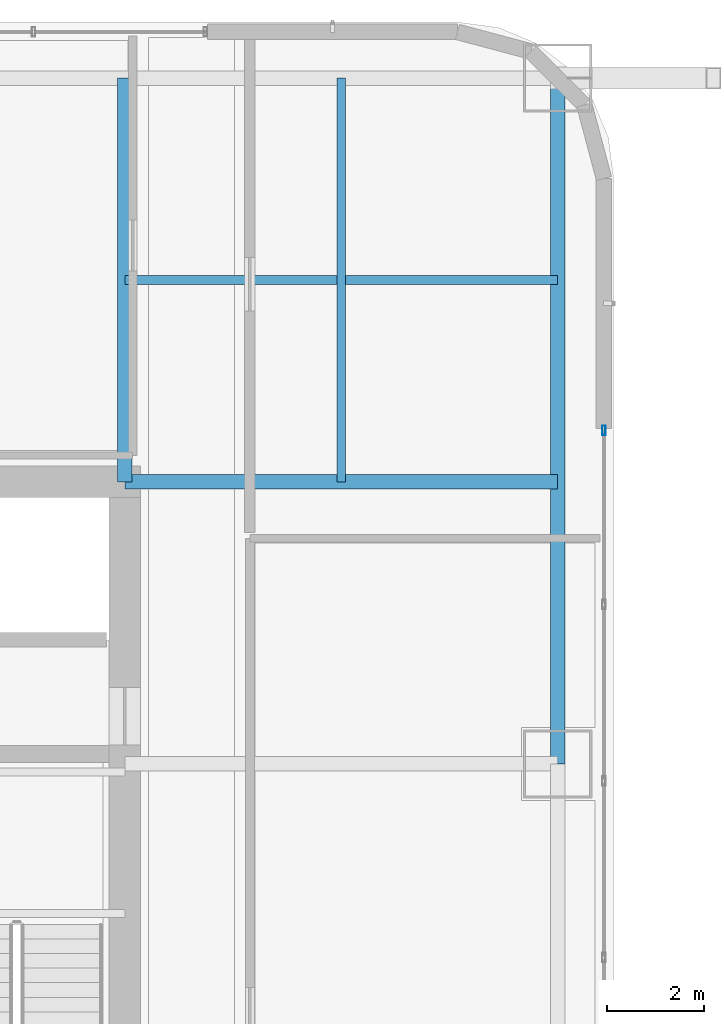
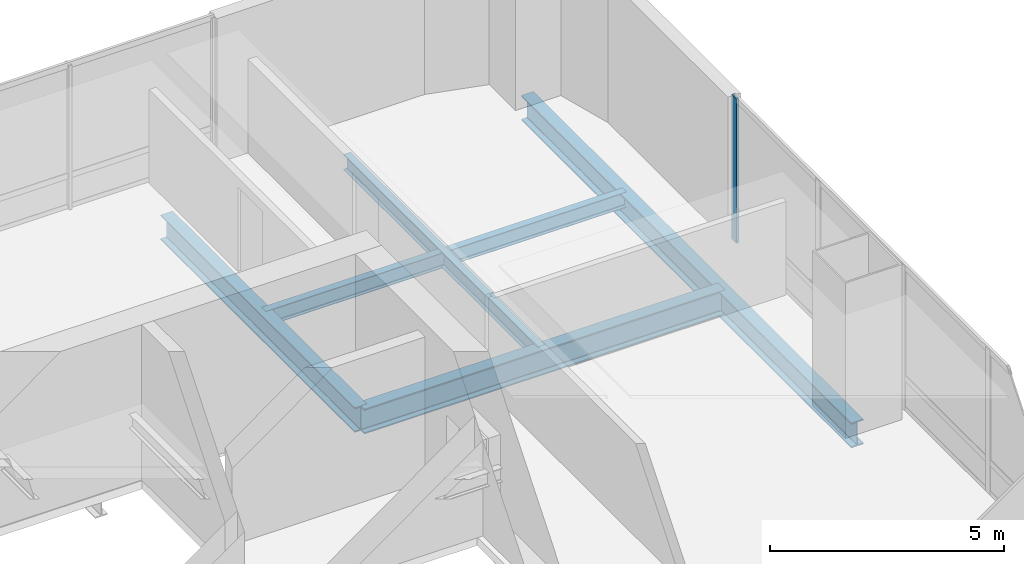
# One storey, part 26 of 46: 5 beams, 1 member, 1 element without a shape of its own.
"""IFC4 building model written with IfcOpenShell, lengths in metres."""

from ifc_helpers import new_model, si_unit, direction, frame, origin, origin_2d, place, context, subcontext, project, spatial, hollow_rectangle, i_section, extrude, material, material_profile, profile_set, type_object, element, aggregate, save


model = new_model("IFC4")

# Units and contexts
model_context = context("Model", 3, precision=1e-05, world=origin(), true_north=direction((0.0, 1.0)))
body_context = subcontext(model_context, "Body", "Model", "MODEL_VIEW")
ifc_project = project(units=[si_unit("LENGTHUNIT", "METRE"), si_unit("AREAUNIT", "SQUARE_METRE"), si_unit("VOLUMEUNIT", "CUBIC_METRE"), si_unit("PLANEANGLEUNIT", "RADIAN"), si_unit("MASSUNIT", "GRAM", prefix="KILO")], contexts=[model_context])

# Site, building, storey
site_placement = place(None, origin())
site = spatial("IfcSite", under=ifc_project, at=site_placement, CompositionType="ELEMENT")
building_placement = place(site_placement, origin())
building = spatial("IfcBuilding", under=site, at=building_placement, Name="Punatoya Terracotta Tower", CompositionType="ELEMENT")
storey_placement = place(building_placement, frame((0.0, 0.0, 200.550048828125)))
storey = spatial("IfcBuildingStorey", under=building, at=storey_placement, Name="L47", CompositionType="ELEMENT", Elevation=200.550048828125)

# Beams
ifc_material_1 = material(Name="Steel S355", Category="steel")
ifc_material_profile_1 = material_profile(ifc_material_1, i_section(OverallWidth=0.300048828125, OverallDepth=0.64990234375, WebThickness=0.01611328125, FlangeThickness=0.031005859375, FilletRadius=0.01806640625, at=origin_2d()))
ifc_profile_set_1 = profile_set([ifc_material_profile_1], Name="Steel S355")
beam_type_1 = type_object("IfcBeamType", Name="BM-PRI-650", PredefinedType="BEAM", material=ifc_profile_set_1)
beam_1_placement = place(storey_placement, frame((19.10009765625, 3.39990234375, -0.545166015625), z_axis=(0.0, 1.0, 0.0), x_axis=(-1.0, 0.0, 0.0)))
element("IfcBeam", 1, at=beam_1_placement, inside=storey, type_object=beam_type_1, Name="BM-L47-RG-E3", PredefinedType="BEAM", context=body_context, shape_type="SweptSolid", body=[
    extrude(i_section(OverallWidth=0.300048828125, OverallDepth=0.64990234375, WebThickness=0.01611328125, FlangeThickness=0.031005859375, FilletRadius=0.01806640625, at=origin_2d()), origin(), (0.0, 0.0, 1.0), 14.10009765625),
])
beam_2_placement = place(storey_placement, frame((10.199951171875, 9.199951171875, -0.545166015625), z_axis=(1.0, 0.0, 0.0), x_axis=(0.0, 1.0, 0.0)))
element("IfcBeam", 2, at=beam_2_placement, inside=storey, type_object=beam_type_1, Name="BM-L47-PR-EN", PredefinedType="BEAM", context=body_context, shape_type="SweptSolid", body=[
    extrude(i_section(OverallWidth=0.300048828125, OverallDepth=0.64990234375, WebThickness=0.01611328125, FlangeThickness=0.031005859375, FilletRadius=0.01806640625, at=origin_2d()), origin(), (0.0, 0.0, 1.0), 8.900146484375),
])
beam_3_placement = place(storey_placement, frame((10.199951171875, 9.199951171875, -0.545166015625), z_axis=(0.0, 1.0, 0.0), x_axis=(-1.0, 0.0, 0.0)))
element("IfcBeam", 3, at=beam_3_placement, inside=storey, type_object=beam_type_1, Name="BM-L47-PR-N4", PredefinedType="BEAM", context=body_context, shape_type="SweptSolid", body=[
    extrude(i_section(OverallWidth=0.300048828125, OverallDepth=0.64990234375, WebThickness=0.01611328125, FlangeThickness=0.031005859375, FilletRadius=0.01806640625, at=origin_2d()), origin(), (0.0, 0.0, 1.0), 8.300048828125),
])
ifc_material_profile_2 = material_profile(ifc_material_1, i_section(OverallWidth=0.179931640625, OverallDepth=0.39990234375, WebThickness=0.008544921875, FlangeThickness=0.013427734375, FilletRadius=0.01806640625, at=origin_2d()))
ifc_profile_set_2 = profile_set([ifc_material_profile_2], Name="Steel S355")
beam_type_2 = type_object("IfcBeamType", Name="BM-SEC-400", PredefinedType="JOIST", material=ifc_profile_set_2)
beam_4_placement = place(storey_placement, frame((10.199951171875, 13.35009765625, -0.420166015625), z_axis=(1.0, 0.0, 0.0), x_axis=(0.0, 1.0, 0.0)))
element("IfcBeam", 4, at=beam_4_placement, inside=storey, type_object=beam_type_2, Name="BM-L47-SJN-2", PredefinedType="JOIST", context=body_context, shape_type="SweptSolid", body=[
    extrude(i_section(OverallWidth=0.179931640625, OverallDepth=0.39990234375, WebThickness=0.008544921875, FlangeThickness=0.013427734375, FilletRadius=0.01806640625, at=origin_2d()), origin(), (0.0, 0.0, 1.0), 8.900146484375),
])
beam_5_placement = place(storey_placement, frame((14.64990234375, 9.199951171875, -0.420166015625), z_axis=(0.0, 1.0, 0.0), x_axis=(-1.0, 0.0, 0.0)))
element("IfcBeam", 5, at=beam_5_placement, inside=storey, type_object=beam_type_2, Name="BM-L47-SJE-2", PredefinedType="JOIST", context=body_context, shape_type="SweptSolid", body=[
    extrude(i_section(OverallWidth=0.179931640625, OverallDepth=0.39990234375, WebThickness=0.008544921875, FlangeThickness=0.013427734375, FilletRadius=0.01806640625, at=origin_2d()), origin(), (0.0, 0.0, 1.0), 8.300048828125),
])

# Curtain wall, member
ifc_material_2 = material(Name="Aluminium 6063-T6 + Double Low-E Glass", Category="aluminium")
curtain_wall_type = type_object("IfcCurtainWallType", Name="CW-M2", PredefinedType="NOTDEFINED", material=ifc_material_2)
curtain_wall_placement = place(storey_placement, origin())
curtain_wall = element("IfcCurtainWall", 6, at=curtain_wall_placement, inside=storey, type_object=curtain_wall_type, Name="L47 Curtain Wall CW-L47-E05-1", PredefinedType="NOTDEFINED")
ifc_material_3 = material(Name="Aluminium 6063-T6", Category="aluminium")
ifc_material_profile_3 = material_profile(ifc_material_3, hollow_rectangle(XDim=0.072021484375, YDim=0.195068359375, WallThickness=0.00439453125, at=origin_2d()))
ifc_profile_set_3 = profile_set([ifc_material_profile_3], Name="Aluminium 6063-T6")
member_type = type_object("IfcMemberType", Name="CW-MUL-M2", PredefinedType="MULLION", material=ifc_profile_set_3)
member_placement = place(storey_placement, frame((20.050048828125, 10.2548828125, 0.0), z_axis=(0.0, 0.0, 1.0), x_axis=(1.0, 0.0, 0.0)))
member = element("IfcMember", 7, at=member_placement, type_object=member_type, Name="CW-L47-E05-1 Mullion 07", PredefinedType="MULLION", context=body_context, shape_type="SweptSolid", body=[
    extrude(hollow_rectangle(XDim=0.072021484375, YDim=0.195068359375, WallThickness=0.00439453125, at=origin_2d()), origin(), (0.0, 0.0, 1.0), 3.77001953125),
])
aggregate(curtain_wall, [member])

save(model, "model.ifc")
